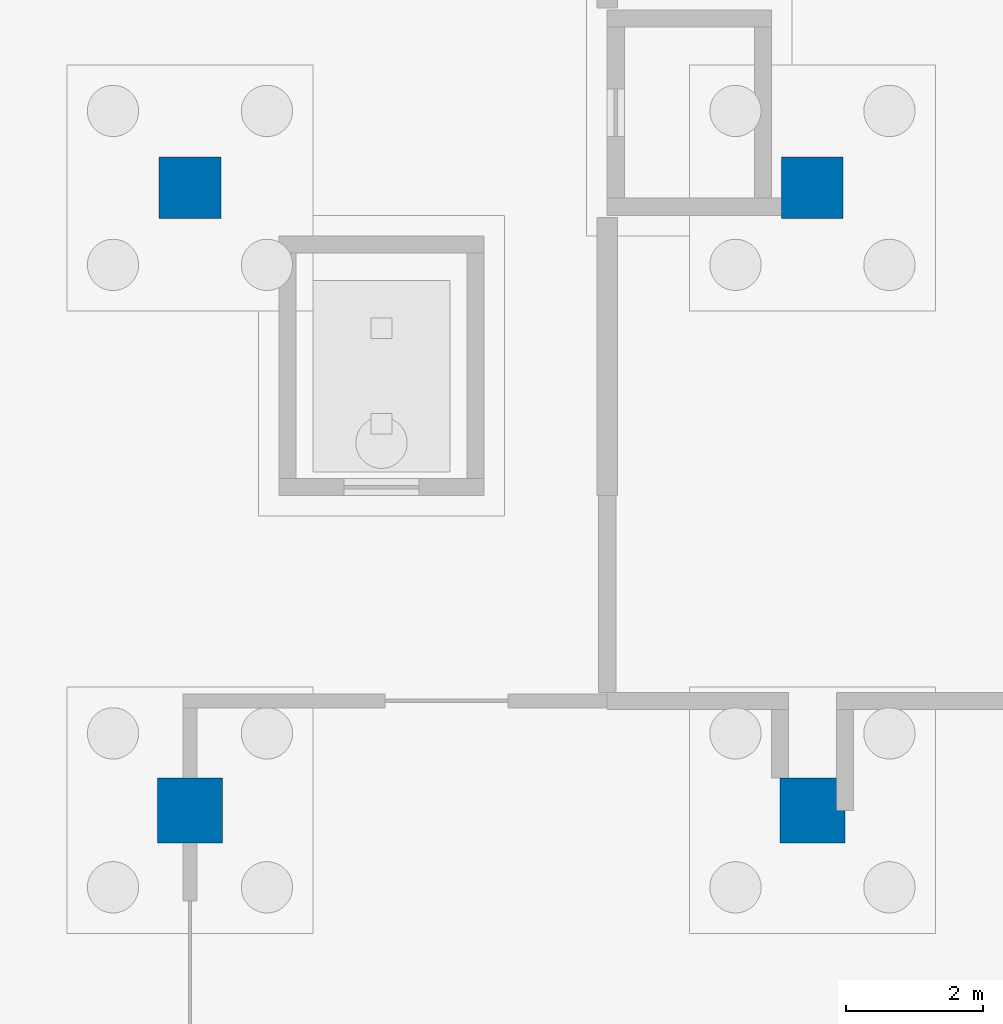
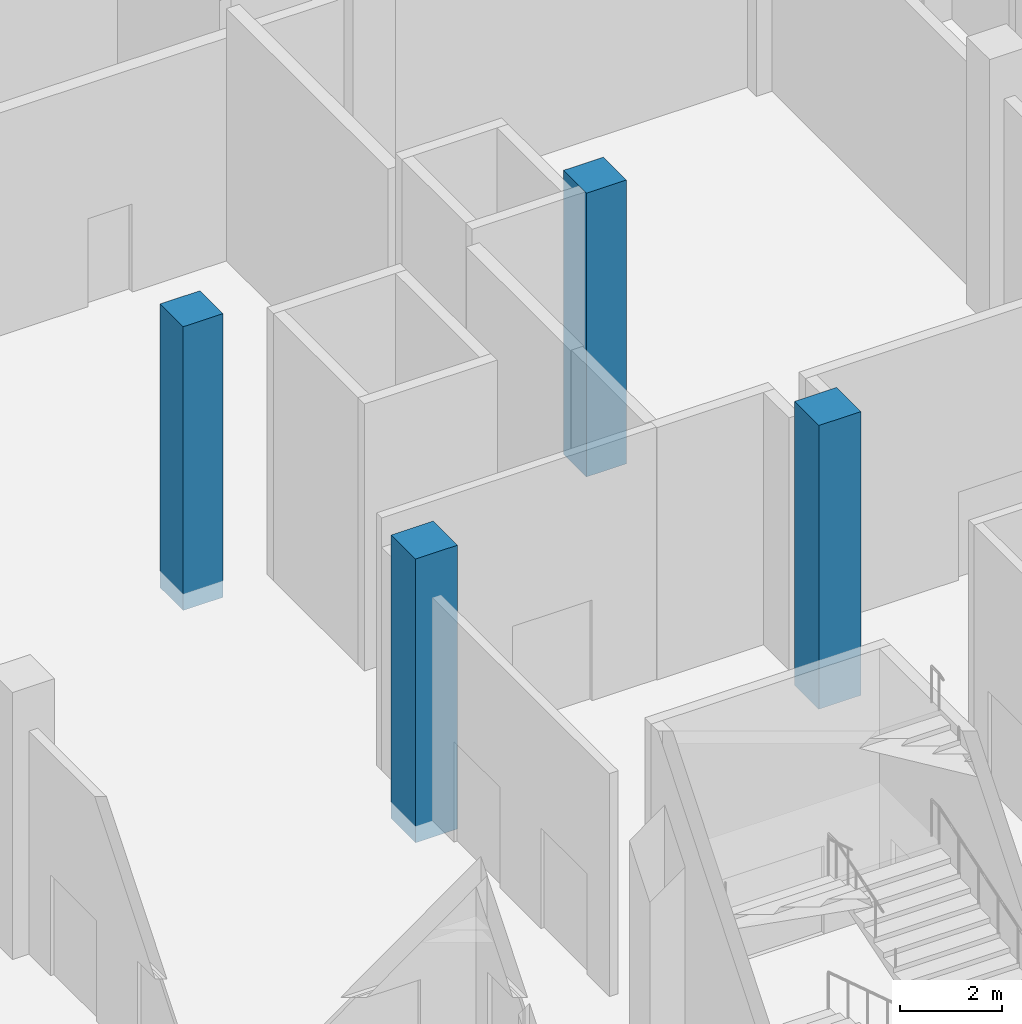
# One storey, part 10 of 129: 4 columns.
"""IFC4 building model written with IfcOpenShell, lengths in metres."""

from ifc_helpers import new_model, si_unit, direction, frame, origin, origin_2d, place, context, subcontext, project, spatial, rectangle, extrude, material, material_profile, profile_set, type_object, element, save


model = new_model("IFC4")

# Units and contexts
model_context = context("Model", 3, precision=1e-05, world=origin(), true_north=direction((0.0, 1.0)))
body_context = subcontext(model_context, "Body", "Model", "MODEL_VIEW")
ifc_project = project(units=[si_unit("LENGTHUNIT", "METRE"), si_unit("AREAUNIT", "SQUARE_METRE"), si_unit("VOLUMEUNIT", "CUBIC_METRE"), si_unit("PLANEANGLEUNIT", "RADIAN"), si_unit("MASSUNIT", "GRAM", prefix="KILO")], contexts=[model_context])

# Site, building, storey
site_placement = place(None, origin())
site = spatial("IfcSite", under=ifc_project, at=site_placement, CompositionType="ELEMENT")
building_placement = place(site_placement, origin())
building = spatial("IfcBuilding", under=site, at=building_placement, Name="Shirokan Park Arena", CompositionType="ELEMENT")
storey_placement = place(building_placement, origin())
storey = spatial("IfcBuildingStorey", under=building, at=storey_placement, Name="L00", CompositionType="ELEMENT", Elevation=0.0)

# Columns
ifc_material = material(Name="Concrete C35", Category="concrete")
ifc_material_profile_1 = material_profile(ifc_material, rectangle(XDim=0.89990234375, YDim=0.89990234375, at=origin_2d()), Name="900x900")
ifc_profile_set_1 = profile_set([ifc_material_profile_1], Name="Concrete C35")
column_type_1 = type_object("IfcColumnType", Name="RC column 900x900", PredefinedType="COLUMN", material=ifc_profile_set_1)
for number, where, z_axis, x_axis, name in (
    (1, (18.199951171875, 27.300048828125, -0.39990234375), (0.0, 0.0, 1.0), (1.0, 0.0, 0.0), "Column 3D L00"),
    (2, (27.300048828125, 27.300048828125, -0.39990234375), (0.0, 0.0, 1.0), (1.0, 0.0, 0.0), "Column 4D L00"),
):
    element("IfcColumn", number, at=place(storey_placement, frame(where, z_axis=z_axis, x_axis=x_axis)), inside=storey, type_object=column_type_1, Name=name, PredefinedType="COLUMN", context=body_context, shape_type="SweptSolid", body=[
        extrude(rectangle(XDim=0.89990234375, YDim=0.89990234375, at=origin_2d()), origin(), (0.0, 0.0, 1.0), 6.77001953125),
    ])
ifc_material_profile_2 = material_profile(ifc_material, rectangle(XDim=0.949951171875, YDim=0.949951171875, at=origin_2d()), Name="950x950")
ifc_profile_set_2 = profile_set([ifc_material_profile_2], Name="Concrete C35")
column_type_2 = type_object("IfcColumnType", Name="RC column 950x950", PredefinedType="COLUMN", material=ifc_profile_set_2)
for number, where, z_axis, x_axis, name in (
    (3, (18.199951171875, 18.199951171875, -0.39990234375), (0.0, 0.0, 1.0), (1.0, 0.0, 0.0), "Column 3C L00"),
    (4, (27.300048828125, 18.199951171875, -0.39990234375), (0.0, 0.0, 1.0), (1.0, 0.0, 0.0), "Column 4C L00"),
):
    element("IfcColumn", number, at=place(storey_placement, frame(where, z_axis=z_axis, x_axis=x_axis)), inside=storey, type_object=column_type_2, Name=name, PredefinedType="COLUMN", context=body_context, shape_type="SweptSolid", body=[
        extrude(rectangle(XDim=0.949951171875, YDim=0.949951171875, at=origin_2d()), origin(), (0.0, 0.0, 1.0), 6.77001953125),
    ])

save(model, "model.ifc")
